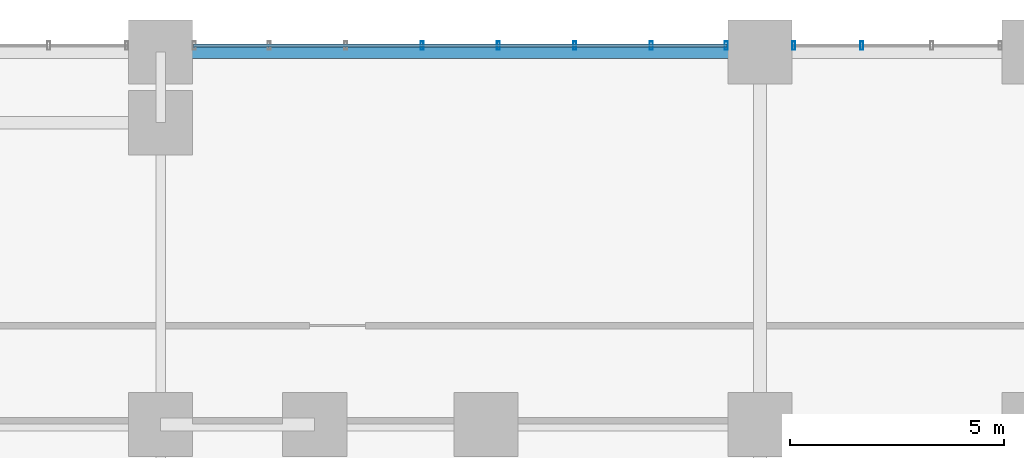
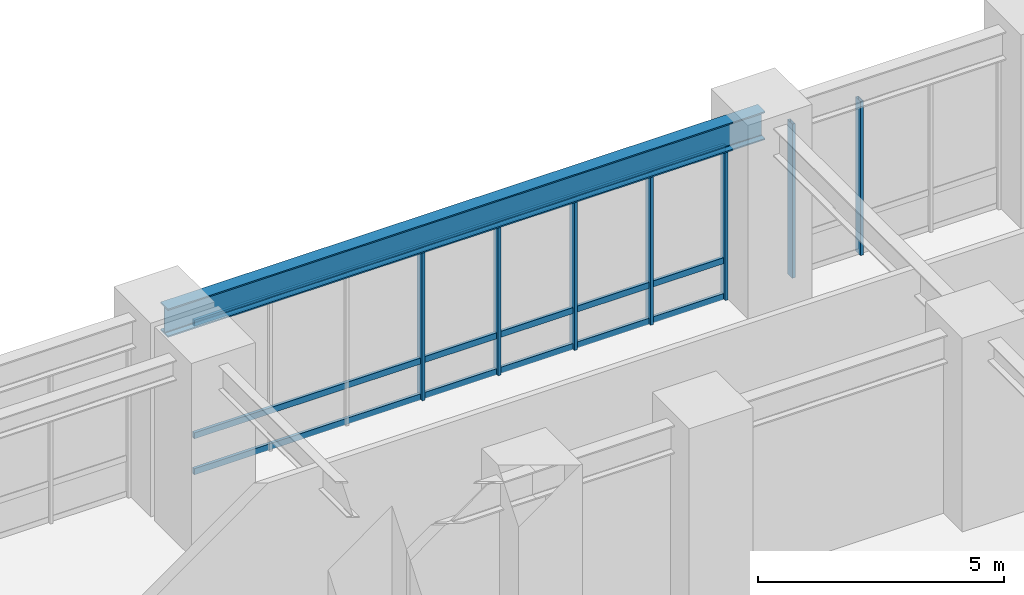
# One storey, part 11 of 22: 10 members, 1 beam, 2 elements without a shape of their own.
"""IFC4 building model written with IfcOpenShell, lengths in metres."""

import ifcopenshell
import ifcopenshell.guid

model = None  # the IFC model being written
_history = None  # IfcOwnerHistory: only IFC2X3 demands one
_inside = {}  # id of a spatial element -> (the spatial element, [elements in it])
_under = {}  # id of a project, library or spatial element -> (it, [spatial elements below it])
_declared = {}  # id of a project -> (the project, [libraries it declares])
_typed = {}  # id of a type object -> (the type object, [elements of that type])
_made_of = {}  # id of a material, layer set ... -> (it, [elements and type objects made of it])


def new_model(schema):
    """Start an empty IFC model of exactly this schema.

    Asked for "IFC4X3", IfcOpenShell would pick the latest addendum, in which some entities
    have other attributes; the version numbers below select the first issue.
    IFC2X3 requires an IfcOwnerHistory on every rooted entity: one is made here for all.
    """
    global model, _history
    if schema == "IFC4X3":
        model = ifcopenshell.file(schema_version=(4, 3, 0, 0))
    else:
        model = ifcopenshell.file(schema=schema)
    _inside.clear()
    _under.clear()
    _declared.clear()
    _typed.clear()
    _made_of.clear()
    _history = None
    if model.schema == "IFC2X3":
        org = make("IfcOrganization", Name="unknown")
        user = make(
            "IfcPersonAndOrganization",
            ThePerson=make("IfcPerson", FamilyName="unknown"),
            TheOrganization=org,
        )
        app = make(
            "IfcApplication",
            ApplicationDeveloper=org,
            Version="unknown",
            ApplicationFullName="unknown",
            ApplicationIdentifier="unknown",
        )
        _history = make(
            "IfcOwnerHistory",
            OwningUser=user,
            OwningApplication=app,
            ChangeAction="ADDED",
            CreationDate=0,
        )
    return model


def make(cls, **values):
    """One entity of the class cls with the attributes given. An attribute that is None is left unset."""
    return model.create_entity(
        cls, **{name: value for name, value in values.items() if value is not None}
    )


def rooted(cls, **values):
    """An entity with a GlobalId (a new one), such as an element, a storey or a relation."""
    return make(cls, GlobalId=ifcopenshell.guid.new(), OwnerHistory=_history, **values)


def si_unit(unit_type, name, prefix=None):
    """IfcSIUnit, for example si_unit("LENGTHUNIT", "METRE", prefix="MILLI")."""
    return make("IfcSIUnit", UnitType=unit_type, Prefix=prefix, Name=name)


def assignment(units):
    """IfcUnitAssignment: the units of a project."""
    return None if units is None else make("IfcUnitAssignment", Units=units)


def point(xyz):
    """IfcCartesianPoint."""
    return None if xyz is None else make("IfcCartesianPoint", Coordinates=xyz)


def direction(xyz):
    """IfcDirection."""
    return None if xyz is None else make("IfcDirection", DirectionRatios=xyz)


def frame(location, z_axis=None, x_axis=None):
    """IfcAxis2Placement3D, a coordinate frame: its origin and axes. An axis left out is left unset."""
    return make(
        "IfcAxis2Placement3D",
        Location=point(location),
        Axis=direction(z_axis),
        RefDirection=direction(x_axis),
    )


def frame_2d(location, x_axis=None):
    """IfcAxis2Placement2D, a coordinate frame in the plane: its origin and x axis."""
    return make(
        "IfcAxis2Placement2D", Location=point(location), RefDirection=direction(x_axis)
    )


def origin():
    """The frame at (0, 0, 0) with its axes left unset."""
    return frame((0.0, 0.0, 0.0))


def origin_2d():
    """The frame at (0, 0) in the plane with its x axis left unset."""
    return frame_2d((0.0, 0.0))


def place(relative_to, where):
    """IfcLocalPlacement: puts the frame where relative to a parent placement (None: the world)."""
    return make(
        "IfcLocalPlacement", PlacementRelTo=relative_to, RelativePlacement=where
    )


def context(
    kind, dimensions, precision=None, world=None, true_north=None, identifier=None
):
    """IfcGeometricRepresentationContext, for example the 3D "Model" context."""
    return make(
        "IfcGeometricRepresentationContext",
        ContextIdentifier=identifier,
        ContextType=kind,
        CoordinateSpaceDimension=dimensions,
        Precision=precision,
        WorldCoordinateSystem=world,
        TrueNorth=true_north,
    )


def subcontext(parent, identifier, kind, view, scale=None):
    """IfcGeometricRepresentationSubContext, for example "Body" below "Model"."""
    return make(
        "IfcGeometricRepresentationSubContext",
        ContextIdentifier=identifier,
        ContextType=kind,
        ParentContext=parent,
        TargetScale=scale,
        TargetView=view,
    )


def project(units=None, contexts=None):
    """IfcProject with its units and contexts."""
    return rooted(
        "IfcProject",
        Name="project",
        RepresentationContexts=contexts,
        UnitsInContext=assignment(units),
    )


def spatial(cls, under=None, at=None, **own):
    """A site, building, storey or space (cls), placed at a placement, below another one or the project."""
    s = rooted(cls, ObjectPlacement=at, **own)
    if under is not None:
        _under.setdefault(under.id(), (under, []))[1].append(s)
    return s


def profile(cls, at=None, kind="AREA", **sizes):
    """A parametric profile (cls). Its sizes go by their IFC names, for example OverallWidth=200.0."""
    return make(cls, ProfileType=kind, Position=at, **sizes)


def hollow_rectangle(**sizes):
    """IfcRectangleHollowProfileDef."""
    return profile("IfcRectangleHollowProfileDef", **sizes)


def i_section(**sizes):
    """IfcIShapeProfileDef."""
    return profile("IfcIShapeProfileDef", **sizes)


def extrude(swept, where, along, depth):
    """IfcExtrudedAreaSolid: the profile swept, set in the frame where, extruded along a direction by depth."""
    return make(
        "IfcExtrudedAreaSolid",
        SweptArea=swept,
        Position=where,
        ExtrudedDirection=direction(along),
        Depth=depth,
    )


def shape(context_of_items, identifier, shape_type, items):
    """IfcShapeRepresentation: the items that make up one representation, for example the "Body"."""
    return make(
        "IfcShapeRepresentation",
        ContextOfItems=context_of_items,
        RepresentationIdentifier=identifier,
        RepresentationType=shape_type,
        Items=items,
    )


def source(mapping_origin, context_of_items, identifier, shape_type, items):
    """IfcRepresentationMap: a shape defined once, which mapped items show again and again."""
    return make(
        "IfcRepresentationMap",
        MappingOrigin=mapping_origin,
        MappedRepresentation=shape(context_of_items, identifier, shape_type, items),
    )


def transform(
    local_origin,
    x_axis=None,
    y_axis=None,
    z_axis=None,
    scale=None,
    scale2=None,
    scale3=None,
    uniform=True,
):
    """IfcCartesianTransformationOperator3D, or its non-uniform kind. x_axis, y_axis, z_axis: its Axis1, 2, 3."""
    if uniform:
        return make(
            "IfcCartesianTransformationOperator3D",
            Axis1=direction(x_axis),
            Axis2=direction(y_axis),
            LocalOrigin=point(local_origin),
            Scale=scale,
            Axis3=direction(z_axis),
        )
    return make(
        "IfcCartesianTransformationOperator3DnonUniform",
        Axis1=direction(x_axis),
        Axis2=direction(y_axis),
        LocalOrigin=point(local_origin),
        Scale=scale,
        Axis3=direction(z_axis),
        Scale2=scale2,
        Scale3=scale3,
    )


def mapped(mapping_source, mapping_target):
    """IfcMappedItem: shows the shape of a source again, moved by a transform."""
    return make(
        "IfcMappedItem", MappingSource=mapping_source, MappingTarget=mapping_target
    )


def material(Name=None, Category=None):
    """IfcMaterial."""
    return make("IfcMaterial", Name=Name, Category=Category)


def layer(
    of_material, thickness, ventilated=None, Name=None, Category=None, Priority=None
):
    """IfcMaterialLayer: one layer of a wall or slab, of a material (None: an air gap)."""
    return make(
        "IfcMaterialLayer",
        Material=of_material,
        LayerThickness=thickness,
        IsVentilated=ventilated,
        Name=Name,
        Category=Category,
        Priority=Priority,
    )


def layer_set(layers, Name=None):
    """IfcMaterialLayerSet."""
    return make("IfcMaterialLayerSet", MaterialLayers=layers, LayerSetName=Name)


def material_profile(
    of_material, cross_section, Name=None, Category=None, Priority=None
):
    """IfcMaterialProfile: a cross section and its material."""
    return make(
        "IfcMaterialProfile",
        Name=Name,
        Material=of_material,
        Profile=cross_section,
        Priority=Priority,
        Category=Category,
    )


def profile_set(profiles, Name=None, composite=None):
    """IfcMaterialProfileSet."""
    return make(
        "IfcMaterialProfileSet",
        Name=Name,
        MaterialProfiles=profiles,
        CompositeProfile=composite,
    )


def made_of(thing, what):
    """Note that an element or type object is made of a material, layer set ...; save() writes the relation."""
    if what is not None:
        _made_of.setdefault(what.id(), (what, []))[1].append(thing)
    return thing


def type_object(cls, material=None, **own):
    """A type object (cls), such as IfcWallType, which elements share."""
    return made_of(rooted(cls, **own), material)


def element(
    cls,
    number,
    at=None,
    inside=None,
    cuts=None,
    type_object=None,
    material=None,
    context=None,
    identifier="Body",
    shape_type=None,
    held_by="IfcProductDefinitionShape",
    body=None,
    shapes=None,
    **own,
):
    """One element of the class cls, such as IfcWall. Its Tag is "e" and its number.

    at: its placement. inside: the storey or other place that contains it. cuts: it is an
    opening in that element (IfcRelVoidsElement). A single representation is given by context,
    identifier, shape_type and body (its items); several are given by shapes. held_by: the class
    of the entity that holds the representations. save() writes the other relations.
    """
    e = rooted(cls, Tag="e%d" % number, ObjectPlacement=at, **own)
    if body is not None:
        shapes = [shape(context, identifier, shape_type, body)]
    if shapes is not None:
        e.Representation = make(held_by, Representations=shapes)
    if inside is not None:
        _inside.setdefault(inside.id(), (inside, []))[1].append(e)
    if cuts is not None:
        rooted(
            "IfcRelVoidsElement", RelatingBuildingElement=cuts, RelatedOpeningElement=e
        )
    if type_object is not None:
        _typed.setdefault(type_object.id(), (type_object, []))[1].append(e)
    return made_of(e, material)


def aggregate(whole, parts):
    """IfcRelAggregates: a whole, such as a stair, and the parts it consists of."""
    return rooted("IfcRelAggregates", RelatingObject=whole, RelatedObjects=parts)


def save(model, path):
    """Write the relations noted so far, then the file.

    IfcRelAggregates (storeys below a building ...), IfcRelContainedInSpatialStructure (elements
    in a storey), IfcRelDefinesByType, IfcRelAssociatesMaterial and IfcRelDeclares: one each for
    every whole, place, type object, material and project.
    """
    for whole, parts in _under.values():
        aggregate(whole, parts)
    for where, things in _inside.values():
        rooted(
            "IfcRelContainedInSpatialStructure",
            RelatedElements=things,
            RelatingStructure=where,
        )
    for kind, things in _typed.values():
        rooted("IfcRelDefinesByType", RelatedObjects=things, RelatingType=kind)
    for what, things in _made_of.values():
        rooted("IfcRelAssociatesMaterial", RelatedObjects=things, RelatingMaterial=what)
    for by, libraries in _declared.values():
        rooted("IfcRelDeclares", RelatingContext=by, RelatedDefinitions=libraries)
    model.write(path)


model = new_model("IFC4")

# Units and contexts
model_context = context("Model", 3, precision=1e-05, world=origin(), true_north=direction((0.0, 1.0)))
body_context = subcontext(model_context, "Body", "Model", "MODEL_VIEW")
ifc_project = project(units=[si_unit("LENGTHUNIT", "METRE"), si_unit("AREAUNIT", "SQUARE_METRE"), si_unit("VOLUMEUNIT", "CUBIC_METRE"), si_unit("PLANEANGLEUNIT", "RADIAN"), si_unit("MASSUNIT", "GRAM", prefix="KILO")], contexts=[model_context])

# Site, building, storey
site_placement = place(None, origin())
site = spatial("IfcSite", under=ifc_project, at=site_placement, CompositionType="ELEMENT")
building_placement = place(site_placement, origin())
building = spatial("IfcBuilding", under=site, at=building_placement, Name="Kaliganga Portal Commons", CompositionType="ELEMENT")
storey_placement = place(building_placement, frame((0.0, 0.0, 10.199951171875)))
storey = spatial("IfcBuildingStorey", under=building, at=storey_placement, Name="L02", CompositionType="ELEMENT", Elevation=10.199951171875)

# Beam
ifc_material_1 = material(Name="Structural steel S355J2", Category="steel")
ifc_material_profile_1 = material_profile(ifc_material_1, i_section(OverallWidth=0.300048828125, OverallDepth=0.699951171875, WebThickness=0.01708984375, FlangeThickness=0.031982421875, FilletRadius=0.027099609375, at=origin_2d()), Name="HE 700 B")
ifc_profile_set_1 = profile_set([ifc_material_profile_1], Name="Structural steel S355J2 wide-flange")
beam_type = type_object("IfcBeamType", Name="BM-GIRD-700", PredefinedType="USERDEFINED", material=ifc_profile_set_1)
shared_shape_1 = source(origin(), body_context, "Body", "SweptSolid", [
    extrude(i_section(OverallWidth=0.300048828125, OverallDepth=0.699951171875, WebThickness=0.01708984375, FlangeThickness=0.031982421875, FilletRadius=0.027099609375, at=origin_2d()), origin(), (0.0, 0.0, 1.0), 14.0),
])
beam_placement = place(storey_placement, frame((46.800048828125, 44.85009765625, 4.170166015625), z_axis=(1.0, 0.0, 0.0), x_axis=(0.0, 1.0, 0.0)))
element("IfcBeam", 1, at=beam_placement, inside=storey, type_object=beam_type, Name="BM PODP L02 N44 5", ObjectType="GIRDER", PredefinedType="USERDEFINED", context=body_context, shape_type="MappedRepresentation", body=[
    mapped(shared_shape_1, transform((0.0, 0.0, 0.0), x_axis=(1.0, 0.0, 0.0), y_axis=(0.0, 1.0, 0.0), z_axis=(0.0, 0.0, 1.0), scale=1.0)),
])

# Curtain wall, members
ifc_material_2 = material(Name="Anodized Aluminium and Laminated Low-E Glass", Category="aluminium")
ifc_layer = layer(ifc_material_2, 0.219970703125)
ifc_layer_set = layer_set([ifc_layer], Name="Anodized Aluminium and Laminated Low-E Glass")
curtain_wall_type = type_object("IfcCurtainWallType", Name="CW-SYS-01", PredefinedType="NOTDEFINED", material=ifc_layer_set)
curtain_wall_1_placement = place(storey_placement, origin())
curtain_wall_1 = element("IfcCurtainWall", 2, at=curtain_wall_1_placement, inside=storey, type_object=curtain_wall_type, Name="CW 01 L02 P1E02S3", PredefinedType="NOTDEFINED")
ifc_material_3 = material(Name="Dark Bronze Anodized Aluminium", Category="aluminium")
ifc_material_profile_2 = material_profile(ifc_material_3, hollow_rectangle(XDim=0.070068359375, YDim=0.14990234375, WallThickness=0.00341796875, at=origin_2d()), Name="ALU TRAN 70x150x3.5")
ifc_profile_set_2 = profile_set([ifc_material_profile_2], Name="Dark Bronze Anodized Aluminium")
member_type_1 = type_object("IfcMemberType", Name="CW-TRN-150", PredefinedType="USERDEFINED", material=ifc_profile_set_2)
shared_shape_2 = source(origin(), body_context, "Body", "SweptSolid", [
    extrude(hollow_rectangle(XDim=0.070068359375, YDim=0.14990234375, WallThickness=0.00341796875, at=origin_2d()), origin(), (0.0, 0.0, 1.0), 12.4580078125),
])
member_1_placement = place(storey_placement, frame((60.029052734375, 45.0, 0.06005859375), z_axis=(-1.0, 0.0, 0.0), x_axis=(0.0, -1.0, 0.0)))
member_1 = element("IfcMember", 3, at=member_1_placement, type_object=member_type_1, Name="CW:01:L02:P1E02S3 Transom 1", ObjectType="TRANSOM", PredefinedType="USERDEFINED", context=body_context, shape_type="MappedRepresentation", body=[
    mapped(shared_shape_2, transform((0.0, 0.0, 0.0), x_axis=(1.0, 0.0, 0.0), y_axis=(0.0, 1.0, 0.0), z_axis=(0.0, 0.0, 1.0), scale=1.0)),
])
member_2_placement = place(storey_placement, frame((60.029052734375, 45.0, 0.949951171875), z_axis=(-1.0, 0.0, 0.0), x_axis=(0.0, -1.0, 0.0)))
member_2 = element("IfcMember", 4, at=member_2_placement, type_object=member_type_1, Name="CW:01:L02:P1E02S3 Transom 2", ObjectType="TRANSOM", PredefinedType="USERDEFINED", context=body_context, shape_type="MappedRepresentation", body=[
    mapped(shared_shape_2, transform((0.0, 0.0, 0.0), x_axis=(1.0, 0.0, 0.0), y_axis=(0.0, 1.0, 0.0), z_axis=(0.0, 0.0, 1.0), scale=1.0)),
])
member_3_placement = place(storey_placement, frame((60.029052734375, 45.0, 3.739990234375), z_axis=(-1.0, 0.0, 0.0), x_axis=(0.0, -1.0, 0.0)))
member_3 = element("IfcMember", 5, at=member_3_placement, type_object=member_type_1, Name="CW:01:L02:P1E02S3 Transom 3", ObjectType="TRANSOM", PredefinedType="USERDEFINED", context=body_context, shape_type="MappedRepresentation", body=[
    mapped(shared_shape_2, transform((0.0, 0.0, 0.0), x_axis=(1.0, 0.0, 0.0), y_axis=(0.0, 1.0, 0.0), z_axis=(0.0, 0.0, 1.0), scale=1.0)),
])

curtain_wall_2_placement = place(storey_placement, origin())
curtain_wall_2 = element("IfcCurtainWall", 6, at=curtain_wall_2_placement, inside=storey, type_object=curtain_wall_type, Name="CW 01 L02 P1E02S2", PredefinedType="NOTDEFINED")
ifc_material_profile_3 = material_profile(ifc_material_3, hollow_rectangle(XDim=0.070068359375, YDim=0.199951171875, WallThickness=0.00390625, at=origin_2d()), Name="ALU MULL 70x200x4")
ifc_profile_set_3 = profile_set([ifc_material_profile_3], Name="Dark Bronze Anodized Aluminium")
member_type_2 = type_object("IfcMemberType", Name="CW-MUL-220", PredefinedType="MULLION", material=ifc_profile_set_3)
shared_shape_3 = source(origin(), body_context, "Body", "SweptSolid", [
    extrude(hollow_rectangle(XDim=0.070068359375, YDim=0.199951171875, WallThickness=0.00390625, at=origin_2d()), origin(), (0.0, 0.0, 1.0), 3.820068359375),
])
member_4_placement = place(storey_placement, frame((63.18359375, 45.0, 0.0), z_axis=(0.0, 0.0, 1.0), x_axis=(-1.0, 0.0, 0.0)))
member_4 = element("IfcMember", 7, at=member_4_placement, type_object=member_type_2, Name="CW:01:L02:P1E02S2 Mullion 02", PredefinedType="MULLION", context=body_context, shape_type="MappedRepresentation", body=[
    mapped(shared_shape_3, transform((0.0, 0.0, 0.0), x_axis=(1.0, 0.0, 0.0), y_axis=(0.0, 1.0, 0.0), z_axis=(0.0, 0.0, 1.0), scale=1.0)),
])
member_5_placement = place(storey_placement, frame((61.5859375, 45.0, 0.0), z_axis=(0.0, 0.0, 1.0), x_axis=(-1.0, 0.0, 0.0)))
member_5 = element("IfcMember", 8, at=member_5_placement, type_object=member_type_2, Name="CW:01:L02:P1E02S2 Mullion 03", PredefinedType="MULLION", context=body_context, shape_type="MappedRepresentation", body=[
    mapped(shared_shape_3, transform((0.0, 0.0, 0.0), x_axis=(1.0, 0.0, 0.0), y_axis=(0.0, 1.0, 0.0), z_axis=(0.0, 0.0, 1.0), scale=1.0)),
])
aggregate(curtain_wall_2, [member_4, member_5])

# Member
member_6_placement = place(storey_placement, frame((60.013916015625, 45.0, 0.0), z_axis=(0.0, 0.0, 1.0), x_axis=(-1.0, 0.0, 0.0)))
member_6 = element("IfcMember", 9, at=member_6_placement, type_object=member_type_2, Name="CW:01:L02:P1E02S3 Mullion 00", PredefinedType="MULLION", context=body_context, shape_type="MappedRepresentation", body=[
    mapped(shared_shape_3, transform((0.0, 0.0, 0.0), x_axis=(1.0, 0.0, 0.0), y_axis=(0.0, 1.0, 0.0), z_axis=(0.0, 0.0, 1.0), scale=1.0)),
])

member_7_placement = place(storey_placement, frame((58.263671875, 45.0, 0.0), z_axis=(0.0, 0.0, 1.0), x_axis=(-1.0, 0.0, 0.0)))
member_7 = element("IfcMember", 10, at=member_7_placement, type_object=member_type_2, Name="CW:01:L02:P1E02S3 Mullion 01", PredefinedType="MULLION", context=body_context, shape_type="MappedRepresentation", body=[
    mapped(shared_shape_3, transform((0.0, 0.0, 0.0), x_axis=(1.0, 0.0, 0.0), y_axis=(0.0, 1.0, 0.0), z_axis=(0.0, 0.0, 1.0), scale=1.0)),
])

member_8_placement = place(storey_placement, frame((56.47802734375, 45.0, 0.0), z_axis=(0.0, 0.0, 1.0), x_axis=(-1.0, 0.0, 0.0)))
member_8 = element("IfcMember", 11, at=member_8_placement, type_object=member_type_2, Name="CW:01:L02:P1E02S3 Mullion 02", PredefinedType="MULLION", context=body_context, shape_type="MappedRepresentation", body=[
    mapped(shared_shape_3, transform((0.0, 0.0, 0.0), x_axis=(1.0, 0.0, 0.0), y_axis=(0.0, 1.0, 0.0), z_axis=(0.0, 0.0, 1.0), scale=1.0)),
])

member_9_placement = place(storey_placement, frame((54.692626953125, 45.0, 0.0), z_axis=(0.0, 0.0, 1.0), x_axis=(-1.0, 0.0, 0.0)))
member_9 = element("IfcMember", 12, at=member_9_placement, type_object=member_type_2, Name="CW:01:L02:P1E02S3 Mullion 03", PredefinedType="MULLION", context=body_context, shape_type="MappedRepresentation", body=[
    mapped(shared_shape_3, transform((0.0, 0.0, 0.0), x_axis=(1.0, 0.0, 0.0), y_axis=(0.0, 1.0, 0.0), z_axis=(0.0, 0.0, 1.0), scale=1.0)),
])

member_10_placement = place(storey_placement, frame((52.9072265625, 45.0, 0.0), z_axis=(0.0, 0.0, 1.0), x_axis=(-1.0, 0.0, 0.0)))
member_10 = element("IfcMember", 13, at=member_10_placement, type_object=member_type_2, Name="CW:01:L02:P1E02S3 Mullion 04", PredefinedType="MULLION", context=body_context, shape_type="MappedRepresentation", body=[
    mapped(shared_shape_3, transform((0.0, 0.0, 0.0), x_axis=(1.0, 0.0, 0.0), y_axis=(0.0, 1.0, 0.0), z_axis=(0.0, 0.0, 1.0), scale=1.0)),
])

aggregate(curtain_wall_1, [member_6, member_7, member_8, member_9, member_10, member_1, member_2, member_3])

save(model, "model.ifc")
